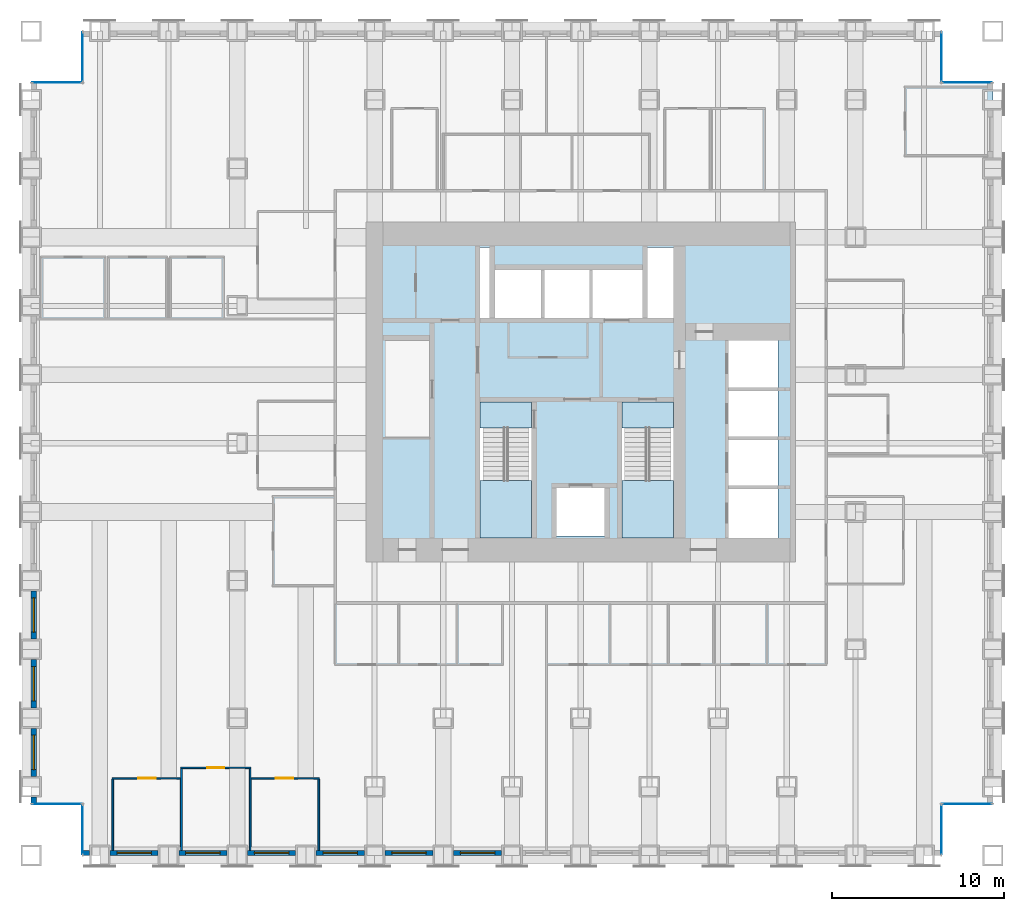
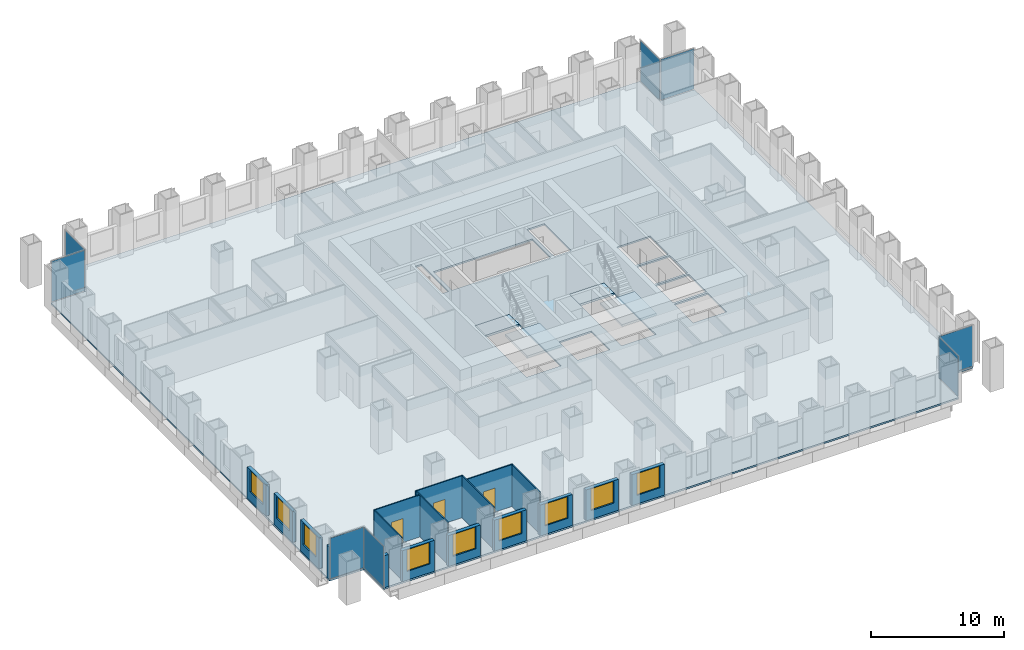
# One storey, part 7 of 14: 18 walls, 9 windows, 8 plates, 5 slabs, 3 doors, 12 openings, 10 elements without a shape of their own.
"""IFC4 building model written with IfcOpenShell, lengths in metres."""

from ifc_helpers import new_model, si_unit, direction, frame, frame_2d, origin, origin_2d, place, context, subcontext, project, spatial, polyline, rectangle, outline, extrude, material, layer, layer_set, type_object, element, fill, aggregate, save


model = new_model("IFC4")

# Units and contexts
model_context = context("Model", 3, precision=1e-05, world=origin(), true_north=direction((0.0, 1.0)))
body_context = subcontext(model_context, "Body", "Model", "MODEL_VIEW")
ifc_project = project(units=[si_unit("LENGTHUNIT", "METRE"), si_unit("AREAUNIT", "SQUARE_METRE"), si_unit("VOLUMEUNIT", "CUBIC_METRE"), si_unit("PLANEANGLEUNIT", "RADIAN"), si_unit("MASSUNIT", "GRAM", prefix="KILO")], contexts=[model_context])

# Site, building, storey
site_placement = place(None, origin())
site = spatial("IfcSite", under=ifc_project, at=site_placement, CompositionType="ELEMENT")
building_placement = place(site_placement, origin())
building = spatial("IfcBuilding", under=site, at=building_placement, Name="Rimbunsela Tower", CompositionType="ELEMENT")
storey_placement = place(building_placement, frame((0.0, 0.0, 59.0)))
storey = spatial("IfcBuildingStorey", under=building, at=storey_placement, Name="L14", CompositionType="ELEMENT", Elevation=59.0)

# Slab
ifc_material_1 = material(Name="Concrete fc' 35 MPa", Category="concrete")
ifc_layer_1 = layer(ifc_material_1, 0.14990234375)
ifc_layer_set_1 = layer_set([ifc_layer_1], Name="Floor slab 150")
slab_type_1 = type_object("IfcSlabType", Name="Floor slab 150", PredefinedType="FLOOR", material=ifc_layer_set_1)
slab_1_placement = place(storey_placement, frame((0.0, 0.0, -0.14990234375)))
element("IfcSlab", 1, at=slab_1_placement, inside=storey, type_object=slab_type_1, Name="Floor slab L14", PredefinedType="FLOOR", context=body_context, shape_type="SweptSolid", body=[
    extrude(outline(polyline([(1.0, 0.0), (51.0, 0.0), (51.0, 3.0), (54.0, 3.0), (54.0, 45.0), (51.0, 45.0), (51.0, 48.0), (1.0, 48.0), (1.0, 45.0), (-2.0, 45.0), (-2.0, 3.0), (1.0, 3.0), (1.0, 0.0)]), holes=[polyline([(27.14990234375, 18.60009765625), (27.14990234375, 26.39990234375), (24.14990234375, 26.39990234375), (24.14990234375, 18.60009765625), (27.14990234375, 18.60009765625)]), polyline([(24.699951171875, 31.300048828125), (24.699951171875, 35.39990234375), (24.14990234375, 35.39990234375), (24.14990234375, 31.300048828125), (24.699951171875, 31.300048828125)]), polyline([(25.0, 34.10009765625), (25.0, 31.300048828125), (33.60009765625, 31.300048828125), (33.60009765625, 34.10009765625), (25.0, 34.10009765625)]), polyline([(31.39990234375, 21.39990234375), (28.60009765625, 21.39990234375), (28.60009765625, 18.60009765625), (31.39990234375, 18.60009765625), (31.39990234375, 21.39990234375)]), polyline([(35.39990234375, 18.60009765625), (35.39990234375, 26.39990234375), (32.39990234375, 26.39990234375), (32.39990234375, 18.60009765625), (35.39990234375, 18.60009765625)]), polyline([(35.39990234375, 31.300048828125), (35.39990234375, 35.39990234375), (33.89990234375, 35.39990234375), (33.89990234375, 31.300048828125), (35.39990234375, 31.300048828125)]), polyline([(41.5, 21.35009765625), (38.60009765625, 21.35009765625), (38.60009765625, 18.5), (41.5, 18.5), (41.5, 21.35009765625)]), polyline([(41.5, 21.550048828125), (41.5, 24.199951171875), (38.60009765625, 24.199951171875), (38.60009765625, 21.550048828125), (41.5, 21.550048828125)]), polyline([(41.5, 27.050048828125), (38.60009765625, 27.050048828125), (38.60009765625, 24.39990234375), (41.5, 24.39990234375), (41.5, 27.050048828125)]), polyline([(41.5, 27.25), (41.5, 30.0), (38.60009765625, 30.0), (38.60009765625, 27.25), (41.5, 27.25)])]), origin(), (0.0, 0.0, 1.0), 0.14990234375),
])

# Curtain wall, plate
ifc_material_2 = material(Name="Aluminium curtain wall", Category="aluminium")
curtain_wall_type = type_object("IfcCurtainWallType", Name="Corner glazing", PredefinedType="USERDEFINED", material=ifc_material_2)
curtain_wall_1_placement = place(storey_placement, origin())
curtain_wall_1 = element("IfcCurtainWall", 2, at=curtain_wall_1_placement, inside=storey, type_object=curtain_wall_type, Name="Corner glazing L14", ObjectType="CORNER GLAZING", PredefinedType="USERDEFINED")
ifc_material_3 = material(Name="Clear double glazing", Category="glass")
ifc_layer_2 = layer(ifc_material_3, 0.028076171875)
ifc_layer_set_2 = layer_set([ifc_layer_2], Name="Glazed panel clear")
plate_type = type_object("IfcPlateType", Name="Glazed panel clear", PredefinedType="CURTAIN_PANEL", material=ifc_layer_set_2)
plate_1_placement = place(storey_placement, frame((51.0, 1.5, 0.06005859375), z_axis=(0.0, 0.0, 1.0), x_axis=(0.0, 1.0, 0.0)))
plate_1 = element("IfcPlate", 3, at=plate_1_placement, type_object=plate_type, Name="CW5 panel 1.1", PredefinedType="CURTAIN_PANEL", context=body_context, shape_type="SweptSolid", body=[
    extrude(rectangle(XDim=2.8798828125, YDim=0.028076171875, at=origin_2d()), origin(), (0.0, 0.0, 1.0), 3.72998046875),
])
aggregate(curtain_wall_1, [plate_1])

curtain_wall_2_placement = place(storey_placement, origin())
curtain_wall_2 = element("IfcCurtainWall", 4, at=curtain_wall_2_placement, inside=storey, type_object=curtain_wall_type, Name="Corner glazing L14", ObjectType="CORNER GLAZING", PredefinedType="USERDEFINED")
plate_2_placement = place(storey_placement, frame((52.5, 3.0, 0.06005859375), z_axis=(0.0, 0.0, 1.0), x_axis=(1.0, 0.0, 0.0)))
plate_2 = element("IfcPlate", 5, at=plate_2_placement, type_object=plate_type, Name="CW5 panel 1.1", PredefinedType="CURTAIN_PANEL", context=body_context, shape_type="SweptSolid", body=[
    extrude(rectangle(XDim=2.8798828125, YDim=0.028076171875, at=origin_2d()), origin(), (0.0, 0.0, 1.0), 3.72998046875),
])
aggregate(curtain_wall_2, [plate_2])

curtain_wall_3_placement = place(storey_placement, origin())
curtain_wall_3 = element("IfcCurtainWall", 6, at=curtain_wall_3_placement, inside=storey, type_object=curtain_wall_type, Name="Corner glazing L14", ObjectType="CORNER GLAZING", PredefinedType="USERDEFINED")
plate_3_placement = place(storey_placement, frame((52.5, 45.0, 0.06005859375), z_axis=(0.0, 0.0, 1.0), x_axis=(-1.0, 0.0, 0.0)))
plate_3 = element("IfcPlate", 7, at=plate_3_placement, type_object=plate_type, Name="CW5 panel 1.1", PredefinedType="CURTAIN_PANEL", context=body_context, shape_type="SweptSolid", body=[
    extrude(rectangle(XDim=2.8798828125, YDim=0.028076171875, at=origin_2d()), origin(), (0.0, 0.0, 1.0), 3.72998046875),
])
aggregate(curtain_wall_3, [plate_3])

curtain_wall_4_placement = place(storey_placement, origin())
curtain_wall_4 = element("IfcCurtainWall", 8, at=curtain_wall_4_placement, inside=storey, type_object=curtain_wall_type, Name="Corner glazing L14", ObjectType="CORNER GLAZING", PredefinedType="USERDEFINED")
plate_4_placement = place(storey_placement, frame((51.0, 46.5, 0.06005859375), z_axis=(0.0, 0.0, 1.0), x_axis=(0.0, 1.0, 0.0)))
plate_4 = element("IfcPlate", 9, at=plate_4_placement, type_object=plate_type, Name="CW5 panel 1.1", PredefinedType="CURTAIN_PANEL", context=body_context, shape_type="SweptSolid", body=[
    extrude(rectangle(XDim=2.8798828125, YDim=0.028076171875, at=origin_2d()), origin(), (0.0, 0.0, 1.0), 3.72998046875),
])
aggregate(curtain_wall_4, [plate_4])

curtain_wall_5_placement = place(storey_placement, origin())
curtain_wall_5 = element("IfcCurtainWall", 10, at=curtain_wall_5_placement, inside=storey, type_object=curtain_wall_type, Name="Corner glazing L14", ObjectType="CORNER GLAZING", PredefinedType="USERDEFINED")
plate_5_placement = place(storey_placement, frame((1.0, 46.5, 0.06005859375), z_axis=(0.0, 0.0, 1.0), x_axis=(0.0, -1.0, 0.0)))
plate_5 = element("IfcPlate", 11, at=plate_5_placement, type_object=plate_type, Name="CW5 panel 1.1", PredefinedType="CURTAIN_PANEL", context=body_context, shape_type="SweptSolid", body=[
    extrude(rectangle(XDim=2.8798828125, YDim=0.028076171875, at=origin_2d()), origin(), (0.0, 0.0, 1.0), 3.72998046875),
])
aggregate(curtain_wall_5, [plate_5])

curtain_wall_6_placement = place(storey_placement, origin())
curtain_wall_6 = element("IfcCurtainWall", 12, at=curtain_wall_6_placement, inside=storey, type_object=curtain_wall_type, Name="Corner glazing L14", ObjectType="CORNER GLAZING", PredefinedType="USERDEFINED")
plate_6_placement = place(storey_placement, frame((-0.5, 45.0, 0.06005859375), z_axis=(0.0, 0.0, 1.0), x_axis=(-1.0, 0.0, 0.0)))
plate_6 = element("IfcPlate", 13, at=plate_6_placement, type_object=plate_type, Name="CW5 panel 1.1", PredefinedType="CURTAIN_PANEL", context=body_context, shape_type="SweptSolid", body=[
    extrude(rectangle(XDim=2.8798828125, YDim=0.028076171875, at=origin_2d()), origin(), (0.0, 0.0, 1.0), 3.72998046875),
])
aggregate(curtain_wall_6, [plate_6])

curtain_wall_7_placement = place(storey_placement, origin())
curtain_wall_7 = element("IfcCurtainWall", 14, at=curtain_wall_7_placement, inside=storey, type_object=curtain_wall_type, Name="Corner glazing L14", ObjectType="CORNER GLAZING", PredefinedType="USERDEFINED")
plate_7_placement = place(storey_placement, frame((-0.5, 3.0, 0.06005859375), z_axis=(0.0, 0.0, 1.0), x_axis=(1.0, 0.0, 0.0)))
plate_7 = element("IfcPlate", 15, at=plate_7_placement, type_object=plate_type, Name="CW5 panel 1.1", PredefinedType="CURTAIN_PANEL", context=body_context, shape_type="SweptSolid", body=[
    extrude(rectangle(XDim=2.8798828125, YDim=0.028076171875, at=origin_2d()), origin(), (0.0, 0.0, 1.0), 3.72998046875),
])
aggregate(curtain_wall_7, [plate_7])

curtain_wall_8_placement = place(storey_placement, origin())
curtain_wall_8 = element("IfcCurtainWall", 16, at=curtain_wall_8_placement, inside=storey, type_object=curtain_wall_type, Name="Corner glazing L14", ObjectType="CORNER GLAZING", PredefinedType="USERDEFINED")
plate_8_placement = place(storey_placement, frame((1.0, 1.5, 0.06005859375), z_axis=(0.0, 0.0, 1.0), x_axis=(0.0, -1.0, 0.0)))
plate_8 = element("IfcPlate", 17, at=plate_8_placement, type_object=plate_type, Name="CW5 panel 1.1", PredefinedType="CURTAIN_PANEL", context=body_context, shape_type="SweptSolid", body=[
    extrude(rectangle(XDim=2.8798828125, YDim=0.028076171875, at=origin_2d()), origin(), (0.0, 0.0, 1.0), 3.72998046875),
])
aggregate(curtain_wall_8, [plate_8])

# Stair, slabs
ifc_material_4 = material(Name="Concrete fc' 35 MPa", Category="concrete")
stair_type = type_object("IfcStairType", Name="Exit stair 24 risers", PredefinedType="HALF_TURN_STAIR", material=ifc_material_4)
stair_1_placement = place(storey_placement, origin())
stair_1 = element("IfcStair", 18, at=stair_1_placement, inside=storey, type_object=stair_type, Name="Exit stair A L14", PredefinedType="HALF_TURN_STAIR")
ifc_material_5 = material(Name="Concrete fc' 35 MPa", Category="concrete")
ifc_layer_3 = layer(ifc_material_5, 0.199951171875)
ifc_layer_set_3 = layer_set([ifc_layer_3], Name="Stair landing 200")
slab_type_2 = type_object("IfcSlabType", Name="Stair landing 200", PredefinedType="LANDING", material=ifc_layer_set_3)
slab_2_placement = place(storey_placement, frame((0.0, 0.0, -0.199951171875)))
slab_2 = element("IfcSlab", 19, at=slab_2_placement, type_object=slab_type_2, Name="ST-A landing 1", PredefinedType="LANDING", context=body_context, shape_type="SweptSolid", body=[
    extrude(outline(polyline([(24.14990234375, 24.89990234375), (27.14990234375, 24.89990234375), (27.14990234375, 26.39990234375), (24.14990234375, 26.39990234375), (24.14990234375, 24.89990234375)])), origin(), (0.0, 0.0, 1.0), 0.199951171875),
])
slab_3_placement = place(storey_placement, frame((0.0, 0.0, 1.800048828125)))
slab_3 = element("IfcSlab", 20, at=slab_3_placement, type_object=slab_type_2, Name="ST-A landing 2", PredefinedType="LANDING", context=body_context, shape_type="SweptSolid", body=[
    extrude(outline(polyline([(24.14990234375, 18.5), (27.14990234375, 18.5), (27.14990234375, 21.820068359375), (24.14990234375, 21.820068359375), (24.14990234375, 18.5)])), origin(), (0.0, 0.0, 1.0), 0.199951171875),
])
aggregate(stair_1, [slab_2, slab_3])

stair_2_placement = place(storey_placement, origin())
stair_2 = element("IfcStair", 21, at=stair_2_placement, inside=storey, type_object=stair_type, Name="Exit stair B L14", PredefinedType="HALF_TURN_STAIR")
slab_4_placement = place(storey_placement, frame((0.0, 0.0, -0.199951171875)))
slab_4 = element("IfcSlab", 22, at=slab_4_placement, type_object=slab_type_2, Name="ST-B landing 1", PredefinedType="LANDING", context=body_context, shape_type="SweptSolid", body=[
    extrude(outline(polyline([(32.39990234375, 24.89990234375), (35.39990234375, 24.89990234375), (35.39990234375, 26.39990234375), (32.39990234375, 26.39990234375), (32.39990234375, 24.89990234375)])), origin(), (0.0, 0.0, 1.0), 0.199951171875),
])
slab_5_placement = place(storey_placement, frame((0.0, 0.0, 1.800048828125)))
slab_5 = element("IfcSlab", 23, at=slab_5_placement, type_object=slab_type_2, Name="ST-B landing 2", PredefinedType="LANDING", context=body_context, shape_type="SweptSolid", body=[
    extrude(outline(polyline([(32.39990234375, 18.5), (35.39990234375, 18.5), (35.39990234375, 21.820068359375), (32.39990234375, 21.820068359375), (32.39990234375, 18.5)])), origin(), (0.0, 0.0, 1.0), 0.199951171875),
])
aggregate(stair_2, [slab_4, slab_5])

# Wall, opening, door
ifc_material_6 = material(Name="Gypsum board on steel studs", Category="steel")
ifc_layer_4 = layer(ifc_material_6, 0.10009765625)
ifc_layer_set_4 = layer_set([ifc_layer_4], Name="Office partition 100")
wall_type_1 = type_object("IfcWallType", Name="Office partition 100", PredefinedType="PARTITIONING", material=ifc_layer_set_4)
wall_1_placement = place(storey_placement, frame((2.699951171875, 4.5, 0.0), z_axis=(0.0, 0.0, 1.0), x_axis=(1.0, 0.0, 0.0)))
wall_1 = element("IfcWall", 24, at=wall_1_placement, inside=storey, type_object=wall_type_1, Name="Office partition", PredefinedType="PARTITIONING", context=body_context, shape_type="SweptSolid", body=[
    extrude(rectangle(XDim=4.0, YDim=0.10009765625, at=frame_2d((2.0, 0.0))), origin(), (0.0, 0.0, 1.0), 3.85009765625),
])
opening_1_placement = place(wall_1_placement, frame((1.550048828125, 0.0, 0.0)))
opening_1 = element("IfcOpeningElement", 25, at=opening_1_placement, cuts=wall_1, Name="Opening D16", PredefinedType="OPENING", context=body_context, shape_type="SweptSolid", body=[
    extrude(rectangle(XDim=1.0, YDim=2.199951171875, at=frame_2d((0.5, 1.10009765625))), frame((0.0, 0.06005859375, 0.0), z_axis=(0.0, -1.0, 0.0), x_axis=(1.0, 0.0, 0.0)), (0.0, 0.0, 1.0), 0.1201171875),
])
ifc_material_7 = material(Name="Timber door", Category="wood")
door_type_1 = type_object("IfcDoorType", Name="Office door 1000", OperationType="SINGLE_SWING_LEFT", PredefinedType="DOOR", material=ifc_material_7)
door_1_placement = place(opening_1_placement, origin())
door_1 = element("IfcDoor", 26, at=door_1_placement, inside=storey, type_object=door_type_1, Name="Office door", OperationType="SINGLE_SWING_LEFT", OverallHeight=2.199951171875, OverallWidth=1.0, PredefinedType="DOOR", context=body_context, shape_type="SweptSolid", body=[
    extrude(rectangle(XDim=1.0, YDim=2.199951171875, at=frame_2d((0.5, 1.10009765625))), frame((0.0, 0.02490234375, 0.0), z_axis=(0.0, -1.0, 0.0), x_axis=(1.0, 0.0, 0.0)), (0.0, 0.0, 1.0), 0.050048828125),
])
fill(opening_1, door_1)

wall_2_placement = place(storey_placement, frame((10.800048828125, 4.5, 0.0), z_axis=(0.0, 0.0, 1.0), x_axis=(1.0, 0.0, 0.0)))
wall_2 = element("IfcWall", 27, at=wall_2_placement, inside=storey, type_object=wall_type_1, Name="Office partition", PredefinedType="PARTITIONING", context=body_context, shape_type="SweptSolid", body=[
    extrude(rectangle(XDim=4.0, YDim=0.10009765625, at=frame_2d((2.0, 0.0))), origin(), (0.0, 0.0, 1.0), 3.85009765625),
])
opening_2_placement = place(wall_2_placement, frame((1.449951171875, 0.0, 0.0)))
opening_2 = element("IfcOpeningElement", 28, at=opening_2_placement, cuts=wall_2, Name="Opening D16", PredefinedType="OPENING", context=body_context, shape_type="SweptSolid", body=[
    extrude(rectangle(XDim=1.0, YDim=2.199951171875, at=frame_2d((0.5, 1.10009765625))), frame((0.0, 0.06005859375, 0.0), z_axis=(0.0, -1.0, 0.0), x_axis=(1.0, 0.0, 0.0)), (0.0, 0.0, 1.0), 0.1201171875),
])
door_2_placement = place(opening_2_placement, origin())
door_2 = element("IfcDoor", 29, at=door_2_placement, inside=storey, type_object=door_type_1, Name="Office door", OperationType="SINGLE_SWING_LEFT", OverallHeight=2.199951171875, OverallWidth=1.0, PredefinedType="DOOR", context=body_context, shape_type="SweptSolid", body=[
    extrude(rectangle(XDim=1.0, YDim=2.199951171875, at=frame_2d((0.5, 1.10009765625))), frame((0.0, 0.02490234375, 0.0), z_axis=(0.0, -1.0, 0.0), x_axis=(1.0, 0.0, 0.0)), (0.0, 0.0, 1.0), 0.050048828125),
])
fill(opening_2, door_2)

wall_3_placement = place(storey_placement, frame((6.699951171875, 5.10009765625, 0.0), z_axis=(0.0, 0.0, 1.0), x_axis=(1.0, 0.0, 0.0)))
wall_3 = element("IfcWall", 30, at=wall_3_placement, inside=storey, type_object=wall_type_1, Name="Office partition", PredefinedType="PARTITIONING", context=body_context, shape_type="SweptSolid", body=[
    extrude(rectangle(XDim=4.10009765625, YDim=0.10009765625, at=frame_2d((2.050048828125, 0.0))), origin(), (0.0, 0.0, 1.0), 3.85009765625),
])
opening_3_placement = place(wall_3_placement, frame((1.550048828125, 0.0, 0.0)))
opening_3 = element("IfcOpeningElement", 31, at=opening_3_placement, cuts=wall_3, Name="Opening D17", PredefinedType="OPENING", context=body_context, shape_type="SweptSolid", body=[
    extrude(rectangle(XDim=1.0, YDim=2.199951171875, at=frame_2d((0.5, 1.10009765625))), frame((0.0, 0.06005859375, 0.0), z_axis=(0.0, -1.0, 0.0), x_axis=(1.0, 0.0, 0.0)), (0.0, 0.0, 1.0), 0.1201171875),
])
ifc_material_8 = material(Name="Glazed aluminium door", Category="aluminium")
door_type_2 = type_object("IfcDoorType", Name="Meeting room door 1000 glazed", OperationType="SINGLE_SWING_RIGHT", PredefinedType="DOOR", material=ifc_material_8)
door_3_placement = place(opening_3_placement, origin())
door_3 = element("IfcDoor", 32, at=door_3_placement, inside=storey, type_object=door_type_2, Name="Meeting room door", OperationType="SINGLE_SWING_RIGHT", OverallHeight=2.199951171875, OverallWidth=1.0, PredefinedType="DOOR", context=body_context, shape_type="SweptSolid", body=[
    extrude(rectangle(XDim=1.0, YDim=2.199951171875, at=frame_2d((0.5, 1.10009765625))), frame((0.0, 0.02490234375, 0.0), z_axis=(0.0, -1.0, 0.0), x_axis=(1.0, 0.0, 0.0)), (0.0, 0.0, 1.0), 0.050048828125),
])
fill(opening_3, door_3)

# Walls
wall_4_placement = place(storey_placement, frame((2.75, 0.300048828125, 0.0), z_axis=(0.0, 0.0, 1.0), x_axis=(0.0, 1.0, 0.0)))
element("IfcWall", 33, at=wall_4_placement, inside=storey, type_object=wall_type_1, Name="Office partition", PredefinedType="PARTITIONING", context=body_context, shape_type="SweptSolid", body=[
    extrude(rectangle(XDim=4.14990234375, YDim=0.10009765625, at=frame_2d((2.074951171875, 0.0))), origin(), (0.0, 0.0, 1.0), 3.85009765625),
])
for number, where, z_axis, x_axis, name in (
    (34, (6.75, 0.300048828125, 0.0), (0.0, 0.0, 1.0), (0.0, 1.0, 0.0), "Office partition"),
    (35, (10.75, 0.300048828125, 0.0), (0.0, 0.0, 1.0), (0.0, 1.0, 0.0), "Office partition"),
):
    element("IfcWall", number, at=place(storey_placement, frame(where, z_axis=z_axis, x_axis=x_axis)), inside=storey, type_object=wall_type_1, Name=name, PredefinedType="PARTITIONING", context=body_context, shape_type="SweptSolid", body=[
        extrude(rectangle(XDim=4.75, YDim=0.10009765625, at=frame_2d((2.375, 0.0))), origin(), (0.0, 0.0, 1.0), 3.85009765625),
    ])
wall_5_placement = place(storey_placement, frame((14.75, 0.300048828125, 0.0), z_axis=(0.0, 0.0, 1.0), x_axis=(0.0, 1.0, 0.0)))
element("IfcWall", 36, at=wall_5_placement, inside=storey, type_object=wall_type_1, Name="Office partition", PredefinedType="PARTITIONING", context=body_context, shape_type="SweptSolid", body=[
    extrude(rectangle(XDim=4.14990234375, YDim=0.10009765625, at=frame_2d((2.074951171875, 0.0))), origin(), (0.0, 0.0, 1.0), 3.85009765625),
])
ifc_material_9 = material(Name="Precast concrete fc' 35 MPa", Category="concrete")
ifc_layer_5 = layer(ifc_material_9, 0.300048828125)
ifc_layer_set_5 = layer_set([ifc_layer_5], Name="Precast concrete fc' 35 MPa")
wall_type_2 = type_object("IfcWallType", Name="Precast facade panel 300", PredefinedType="ELEMENTEDWALL", material=ifc_layer_set_5)
wall_6_placement = place(storey_placement, frame((1.030029296875, 0.14990234375, 0.0), z_axis=(0.0, 0.0, 1.0), x_axis=(1.0, 0.0, 0.0)))
element("IfcWall", 37, at=wall_6_placement, inside=storey, type_object=wall_type_2, Name="Facade panel S L14", PredefinedType="ELEMENTEDWALL", context=body_context, shape_type="SweptSolid", body=[
    extrude(rectangle(XDim=0.369873046875, YDim=0.300048828125, at=frame_2d((0.18505859375, 0.0))), origin(), (0.0, 0.0, 1.0), 2.949951171875),
])

# Wall, opening, window
wall_7_placement = place(storey_placement, frame((2.60009765625, 0.14990234375, 0.0), z_axis=(0.0, 0.0, 1.0), x_axis=(1.0, 0.0, 0.0)))
wall_7 = element("IfcWall", 38, at=wall_7_placement, inside=storey, type_object=wall_type_2, Name="Facade panel S L14", PredefinedType="ELEMENTEDWALL", context=body_context, shape_type="SweptSolid", body=[
    extrude(rectangle(XDim=2.7998046875, YDim=0.300048828125, at=frame_2d((1.39990234375, 0.0))), origin(), (0.0, 0.0, 1.0), 2.85009765625),
])
opening_4_placement = place(wall_7_placement, frame((0.39990234375, 0.0, 0.800048828125)))
opening_4 = element("IfcOpeningElement", 39, at=opening_4_placement, cuts=wall_7, Name="Opening W1", PredefinedType="OPENING", context=body_context, shape_type="SweptSolid", body=[
    extrude(rectangle(XDim=2.0, YDim=2.0, at=frame_2d((1.0, 1.0))), frame((0.0, 0.159912109375, 0.0), z_axis=(0.0, -1.0, 0.0), x_axis=(1.0, 0.0, 0.0)), (0.0, 0.0, 1.0), 0.320068359375),
])
ifc_material_10 = material(Name="Clear glass in aluminium frame", Category="aluminium")
window_type = type_object("IfcWindowType", Name="Window W1 2000x2000", PartitioningType="DOUBLE_PANEL_VERTICAL", PredefinedType="WINDOW", material=ifc_material_10)
window_1_placement = place(opening_4_placement, origin())
window_1 = element("IfcWindow", 40, at=window_1_placement, inside=storey, type_object=window_type, Name="Window L14", OverallHeight=2.0, OverallWidth=2.0, PartitioningType="SINGLE_PANEL", PredefinedType="WINDOW", context=body_context, shape_type="SweptSolid", body=[
    extrude(rectangle(XDim=2.0, YDim=2.0, at=frame_2d((1.0, 1.0))), frame((0.0, 0.030029296875, 0.0), z_axis=(0.0, -1.0, 0.0), x_axis=(1.0, 0.0, 0.0)), (0.0, 0.0, 1.0), 0.06005859375),
])
fill(opening_4, window_1)

wall_8_placement = place(storey_placement, frame((6.60009765625, 0.14990234375, 0.0), z_axis=(0.0, 0.0, 1.0), x_axis=(1.0, 0.0, 0.0)))
wall_8 = element("IfcWall", 41, at=wall_8_placement, inside=storey, type_object=wall_type_2, Name="Facade panel S L14", PredefinedType="ELEMENTEDWALL", context=body_context, shape_type="SweptSolid", body=[
    extrude(rectangle(XDim=2.7998046875, YDim=0.300048828125, at=frame_2d((1.39990234375, 0.0))), origin(), (0.0, 0.0, 1.0), 2.85009765625),
])
opening_5_placement = place(wall_8_placement, frame((0.39990234375, 0.0, 0.800048828125)))
opening_5 = element("IfcOpeningElement", 42, at=opening_5_placement, cuts=wall_8, Name="Opening W1", PredefinedType="OPENING", context=body_context, shape_type="SweptSolid", body=[
    extrude(rectangle(XDim=2.0, YDim=2.0, at=frame_2d((1.0, 1.0))), frame((0.0, 0.159912109375, 0.0), z_axis=(0.0, -1.0, 0.0), x_axis=(1.0, 0.0, 0.0)), (0.0, 0.0, 1.0), 0.320068359375),
])
window_2_placement = place(opening_5_placement, origin())
window_2 = element("IfcWindow", 43, at=window_2_placement, inside=storey, type_object=window_type, Name="Window L14", OverallHeight=2.0, OverallWidth=2.0, PartitioningType="SINGLE_PANEL", PredefinedType="WINDOW", context=body_context, shape_type="SweptSolid", body=[
    extrude(rectangle(XDim=2.0, YDim=2.0, at=frame_2d((1.0, 1.0))), frame((0.0, 0.030029296875, 0.0), z_axis=(0.0, -1.0, 0.0), x_axis=(1.0, 0.0, 0.0)), (0.0, 0.0, 1.0), 0.06005859375),
])
fill(opening_5, window_2)

wall_9_placement = place(storey_placement, frame((10.60009765625, 0.14990234375, 0.0), z_axis=(0.0, 0.0, 1.0), x_axis=(1.0, 0.0, 0.0)))
wall_9 = element("IfcWall", 44, at=wall_9_placement, inside=storey, type_object=wall_type_2, Name="Facade panel S L14", PredefinedType="ELEMENTEDWALL", context=body_context, shape_type="SweptSolid", body=[
    extrude(rectangle(XDim=2.7998046875, YDim=0.300048828125, at=frame_2d((1.39990234375, 0.0))), origin(), (0.0, 0.0, 1.0), 2.85009765625),
])
opening_6_placement = place(wall_9_placement, frame((0.39990234375, 0.0, 0.800048828125)))
opening_6 = element("IfcOpeningElement", 45, at=opening_6_placement, cuts=wall_9, Name="Opening W1", PredefinedType="OPENING", context=body_context, shape_type="SweptSolid", body=[
    extrude(rectangle(XDim=2.0, YDim=2.0, at=frame_2d((1.0, 1.0))), frame((0.0, 0.159912109375, 0.0), z_axis=(0.0, -1.0, 0.0), x_axis=(1.0, 0.0, 0.0)), (0.0, 0.0, 1.0), 0.320068359375),
])
window_3_placement = place(opening_6_placement, origin())
window_3 = element("IfcWindow", 46, at=window_3_placement, inside=storey, type_object=window_type, Name="Window L14", OverallHeight=2.0, OverallWidth=2.0, PartitioningType="SINGLE_PANEL", PredefinedType="WINDOW", context=body_context, shape_type="SweptSolid", body=[
    extrude(rectangle(XDim=2.0, YDim=2.0, at=frame_2d((1.0, 1.0))), frame((0.0, 0.030029296875, 0.0), z_axis=(0.0, -1.0, 0.0), x_axis=(1.0, 0.0, 0.0)), (0.0, 0.0, 1.0), 0.06005859375),
])
fill(opening_6, window_3)

wall_10_placement = place(storey_placement, frame((14.60009765625, 0.14990234375, 0.0), z_axis=(0.0, 0.0, 1.0), x_axis=(1.0, 0.0, 0.0)))
wall_10 = element("IfcWall", 47, at=wall_10_placement, inside=storey, type_object=wall_type_2, Name="Facade panel S L14", PredefinedType="ELEMENTEDWALL", context=body_context, shape_type="SweptSolid", body=[
    extrude(rectangle(XDim=2.7998046875, YDim=0.300048828125, at=frame_2d((1.39990234375, 0.0))), origin(), (0.0, 0.0, 1.0), 2.85009765625),
])
opening_7_placement = place(wall_10_placement, frame((0.39990234375, 0.0, 0.800048828125)))
opening_7 = element("IfcOpeningElement", 48, at=opening_7_placement, cuts=wall_10, Name="Opening W1", PredefinedType="OPENING", context=body_context, shape_type="SweptSolid", body=[
    extrude(rectangle(XDim=2.0, YDim=2.0, at=frame_2d((1.0, 1.0))), frame((0.0, 0.159912109375, 0.0), z_axis=(0.0, -1.0, 0.0), x_axis=(1.0, 0.0, 0.0)), (0.0, 0.0, 1.0), 0.320068359375),
])
window_4_placement = place(opening_7_placement, origin())
window_4 = element("IfcWindow", 49, at=window_4_placement, inside=storey, type_object=window_type, Name="Window L14", OverallHeight=2.0, OverallWidth=2.0, PartitioningType="SINGLE_PANEL", PredefinedType="WINDOW", context=body_context, shape_type="SweptSolid", body=[
    extrude(rectangle(XDim=2.0, YDim=2.0, at=frame_2d((1.0, 1.0))), frame((0.0, 0.030029296875, 0.0), z_axis=(0.0, -1.0, 0.0), x_axis=(1.0, 0.0, 0.0)), (0.0, 0.0, 1.0), 0.06005859375),
])
fill(opening_7, window_4)

wall_11_placement = place(storey_placement, frame((18.60009765625, 0.14990234375, 0.0), z_axis=(0.0, 0.0, 1.0), x_axis=(1.0, 0.0, 0.0)))
wall_11 = element("IfcWall", 50, at=wall_11_placement, inside=storey, type_object=wall_type_2, Name="Facade panel S L14", PredefinedType="ELEMENTEDWALL", context=body_context, shape_type="SweptSolid", body=[
    extrude(rectangle(XDim=2.7998046875, YDim=0.300048828125, at=frame_2d((1.39990234375, 0.0))), origin(), (0.0, 0.0, 1.0), 2.85009765625),
])
opening_8_placement = place(wall_11_placement, frame((0.39990234375, 0.0, 0.800048828125)))
opening_8 = element("IfcOpeningElement", 51, at=opening_8_placement, cuts=wall_11, Name="Opening W1", PredefinedType="OPENING", context=body_context, shape_type="SweptSolid", body=[
    extrude(rectangle(XDim=2.0, YDim=2.0, at=frame_2d((1.0, 1.0))), frame((0.0, 0.159912109375, 0.0), z_axis=(0.0, -1.0, 0.0), x_axis=(1.0, 0.0, 0.0)), (0.0, 0.0, 1.0), 0.320068359375),
])
window_5_placement = place(opening_8_placement, origin())
window_5 = element("IfcWindow", 52, at=window_5_placement, inside=storey, type_object=window_type, Name="Window L14", OverallHeight=2.0, OverallWidth=2.0, PartitioningType="SINGLE_PANEL", PredefinedType="WINDOW", context=body_context, shape_type="SweptSolid", body=[
    extrude(rectangle(XDim=2.0, YDim=2.0, at=frame_2d((1.0, 1.0))), frame((0.0, 0.030029296875, 0.0), z_axis=(0.0, -1.0, 0.0), x_axis=(1.0, 0.0, 0.0)), (0.0, 0.0, 1.0), 0.06005859375),
])
fill(opening_8, window_5)

wall_12_placement = place(storey_placement, frame((22.60009765625, 0.14990234375, 0.0), z_axis=(0.0, 0.0, 1.0), x_axis=(1.0, 0.0, 0.0)))
wall_12 = element("IfcWall", 53, at=wall_12_placement, inside=storey, type_object=wall_type_2, Name="Facade panel S L14", PredefinedType="ELEMENTEDWALL", context=body_context, shape_type="SweptSolid", body=[
    extrude(rectangle(XDim=2.7998046875, YDim=0.300048828125, at=frame_2d((1.39990234375, 0.0))), origin(), (0.0, 0.0, 1.0), 2.85009765625),
])
opening_9_placement = place(wall_12_placement, frame((0.39990234375, 0.0, 0.800048828125)))
opening_9 = element("IfcOpeningElement", 54, at=opening_9_placement, cuts=wall_12, Name="Opening W1", PredefinedType="OPENING", context=body_context, shape_type="SweptSolid", body=[
    extrude(rectangle(XDim=2.0, YDim=2.0, at=frame_2d((1.0, 1.0))), frame((0.0, 0.159912109375, 0.0), z_axis=(0.0, -1.0, 0.0), x_axis=(1.0, 0.0, 0.0)), (0.0, 0.0, 1.0), 0.320068359375),
])
window_6_placement = place(opening_9_placement, origin())
window_6 = element("IfcWindow", 55, at=window_6_placement, inside=storey, type_object=window_type, Name="Window L14", OverallHeight=2.0, OverallWidth=2.0, PartitioningType="SINGLE_PANEL", PredefinedType="WINDOW", context=body_context, shape_type="SweptSolid", body=[
    extrude(rectangle(XDim=2.0, YDim=2.0, at=frame_2d((1.0, 1.0))), frame((0.0, 0.030029296875, 0.0), z_axis=(0.0, -1.0, 0.0), x_axis=(1.0, 0.0, 0.0)), (0.0, 0.0, 1.0), 0.06005859375),
])
fill(opening_9, window_6)

# Wall
wall_13_placement = place(storey_placement, frame((-1.85009765625, 3.39990234375, 0.0), z_axis=(0.0, 0.0, 1.0), x_axis=(0.0, -1.0, 0.0)))
element("IfcWall", 56, at=wall_13_placement, inside=storey, type_object=wall_type_2, Name="Facade panel W L14", PredefinedType="ELEMENTEDWALL", context=body_context, shape_type="SweptSolid", body=[
    extrude(rectangle(XDim=0.369873046875, YDim=0.300048828125, at=frame_2d((0.18505859375, 0.0))), origin(), (0.0, 0.0, 1.0), 2.949951171875),
])

# Wall, opening, window
wall_14_placement = place(storey_placement, frame((-1.85009765625, 7.39990234375, 0.0), z_axis=(0.0, 0.0, 1.0), x_axis=(0.0, -1.0, 0.0)))
wall_14 = element("IfcWall", 57, at=wall_14_placement, inside=storey, type_object=wall_type_2, Name="Facade panel W L14", PredefinedType="ELEMENTEDWALL", context=body_context, shape_type="SweptSolid", body=[
    extrude(rectangle(XDim=2.7998046875, YDim=0.300048828125, at=frame_2d((1.39990234375, 0.0))), origin(), (0.0, 0.0, 1.0), 2.85009765625),
])
opening_10_placement = place(wall_14_placement, frame((0.39990234375, 0.0, 0.800048828125)))
opening_10 = element("IfcOpeningElement", 58, at=opening_10_placement, cuts=wall_14, Name="Opening W1", PredefinedType="OPENING", context=body_context, shape_type="SweptSolid", body=[
    extrude(rectangle(XDim=2.0, YDim=2.0, at=frame_2d((1.0, 1.0))), frame((0.0, 0.159912109375, 0.0), z_axis=(0.0, -1.0, 0.0), x_axis=(1.0, 0.0, 0.0)), (0.0, 0.0, 1.0), 0.320068359375),
])
window_7_placement = place(opening_10_placement, origin())
window_7 = element("IfcWindow", 59, at=window_7_placement, inside=storey, type_object=window_type, Name="Window L14", OverallHeight=2.0, OverallWidth=2.0, PartitioningType="SINGLE_PANEL", PredefinedType="WINDOW", context=body_context, shape_type="SweptSolid", body=[
    extrude(rectangle(XDim=2.0, YDim=2.0, at=frame_2d((1.0, 1.0))), frame((0.0, 0.030029296875, 0.0), z_axis=(0.0, -1.0, 0.0), x_axis=(1.0, 0.0, 0.0)), (0.0, 0.0, 1.0), 0.06005859375),
])
fill(opening_10, window_7)

wall_15_placement = place(storey_placement, frame((-1.85009765625, 11.39990234375, 0.0), z_axis=(0.0, 0.0, 1.0), x_axis=(0.0, -1.0, 0.0)))
wall_15 = element("IfcWall", 60, at=wall_15_placement, inside=storey, type_object=wall_type_2, Name="Facade panel W L14", PredefinedType="ELEMENTEDWALL", context=body_context, shape_type="SweptSolid", body=[
    extrude(rectangle(XDim=2.7998046875, YDim=0.300048828125, at=frame_2d((1.39990234375, 0.0))), origin(), (0.0, 0.0, 1.0), 2.85009765625),
])
opening_11_placement = place(wall_15_placement, frame((0.39990234375, 0.0, 0.800048828125)))
opening_11 = element("IfcOpeningElement", 61, at=opening_11_placement, cuts=wall_15, Name="Opening W1", PredefinedType="OPENING", context=body_context, shape_type="SweptSolid", body=[
    extrude(rectangle(XDim=2.0, YDim=2.0, at=frame_2d((1.0, 1.0))), frame((0.0, 0.159912109375, 0.0), z_axis=(0.0, -1.0, 0.0), x_axis=(1.0, 0.0, 0.0)), (0.0, 0.0, 1.0), 0.320068359375),
])
window_8_placement = place(opening_11_placement, origin())
window_8 = element("IfcWindow", 62, at=window_8_placement, inside=storey, type_object=window_type, Name="Window L14", OverallHeight=2.0, OverallWidth=2.0, PartitioningType="SINGLE_PANEL", PredefinedType="WINDOW", context=body_context, shape_type="SweptSolid", body=[
    extrude(rectangle(XDim=2.0, YDim=2.0, at=frame_2d((1.0, 1.0))), frame((0.0, 0.030029296875, 0.0), z_axis=(0.0, -1.0, 0.0), x_axis=(1.0, 0.0, 0.0)), (0.0, 0.0, 1.0), 0.06005859375),
])
fill(opening_11, window_8)

wall_16_placement = place(storey_placement, frame((-1.85009765625, 15.39990234375, 0.0), z_axis=(0.0, 0.0, 1.0), x_axis=(0.0, -1.0, 0.0)))
wall_16 = element("IfcWall", 63, at=wall_16_placement, inside=storey, type_object=wall_type_2, Name="Facade panel W L14", PredefinedType="ELEMENTEDWALL", context=body_context, shape_type="SweptSolid", body=[
    extrude(rectangle(XDim=2.7998046875, YDim=0.300048828125, at=frame_2d((1.39990234375, 0.0))), origin(), (0.0, 0.0, 1.0), 2.85009765625),
])
opening_12_placement = place(wall_16_placement, frame((0.39990234375, 0.0, 0.800048828125)))
opening_12 = element("IfcOpeningElement", 64, at=opening_12_placement, cuts=wall_16, Name="Opening W1", PredefinedType="OPENING", context=body_context, shape_type="SweptSolid", body=[
    extrude(rectangle(XDim=2.0, YDim=2.0, at=frame_2d((1.0, 1.0))), frame((0.0, 0.159912109375, 0.0), z_axis=(0.0, -1.0, 0.0), x_axis=(1.0, 0.0, 0.0)), (0.0, 0.0, 1.0), 0.320068359375),
])
window_9_placement = place(opening_12_placement, origin())
window_9 = element("IfcWindow", 65, at=window_9_placement, inside=storey, type_object=window_type, Name="Window L14", OverallHeight=2.0, OverallWidth=2.0, PartitioningType="SINGLE_PANEL", PredefinedType="WINDOW", context=body_context, shape_type="SweptSolid", body=[
    extrude(rectangle(XDim=2.0, YDim=2.0, at=frame_2d((1.0, 1.0))), frame((0.0, 0.030029296875, 0.0), z_axis=(0.0, -1.0, 0.0), x_axis=(1.0, 0.0, 0.0)), (0.0, 0.0, 1.0), 0.06005859375),
])
fill(opening_12, window_9)

save(model, "model.ifc")
